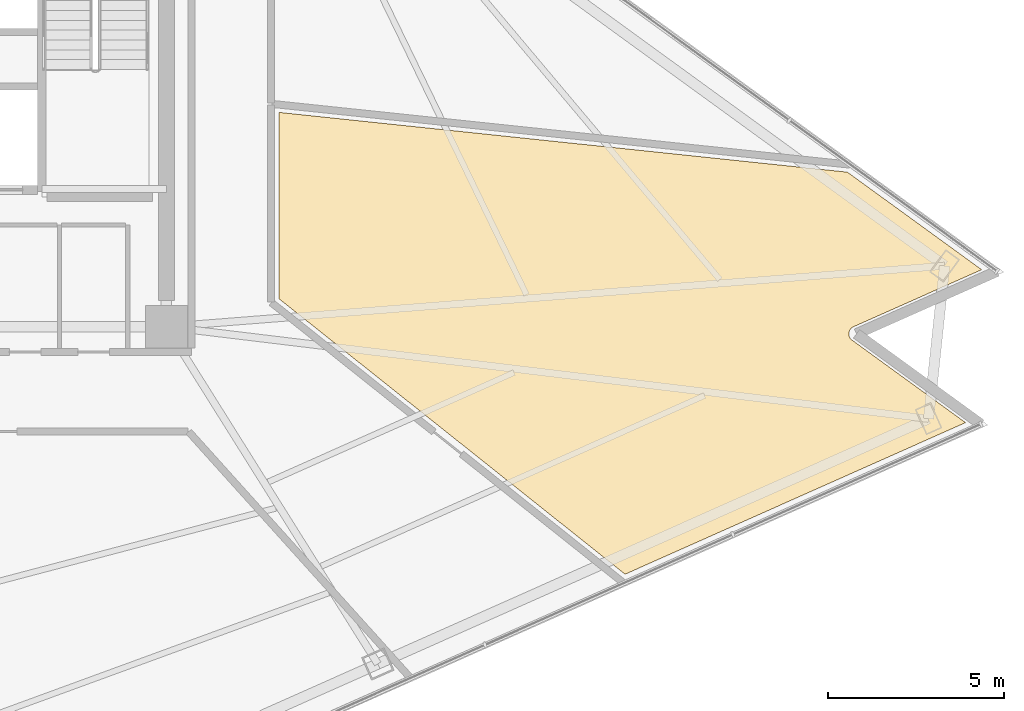
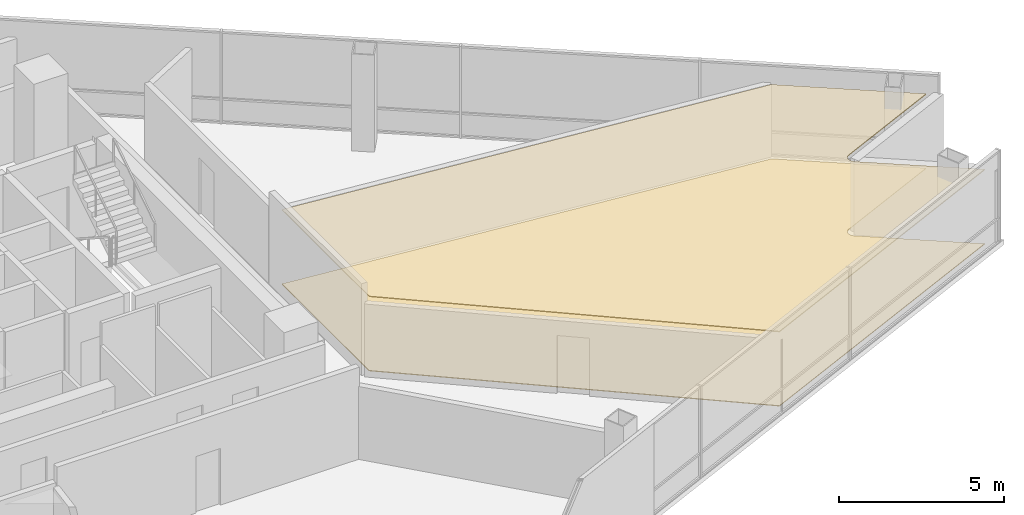
# One storey, part 16 of 19: 2 coverings.
"""IFC4 building model written with IfcOpenShell, lengths in metres."""

from ifc_helpers import new_model, si_unit, direction, frame, origin, place, context, subcontext, project, spatial, polyline, outline, extrude, material, layer, layer_set, type_object, element, save


model = new_model("IFC4")

# Units and contexts
model_context = context("Model", 3, precision=1e-05, world=origin(), true_north=direction((0.0, 1.0)))
body_context = subcontext(model_context, "Body", "Model", "MODEL_VIEW")
ifc_project = project(units=[si_unit("LENGTHUNIT", "METRE"), si_unit("AREAUNIT", "SQUARE_METRE"), si_unit("VOLUMEUNIT", "CUBIC_METRE"), si_unit("PLANEANGLEUNIT", "RADIAN"), si_unit("MASSUNIT", "GRAM", prefix="KILO")], contexts=[model_context])

# Site, building, storey
site_placement = place(None, origin())
site = spatial("IfcSite", under=ifc_project, at=site_placement, CompositionType="ELEMENT")
building_placement = place(site_placement, origin())
building = spatial("IfcBuilding", under=site, at=building_placement, Name="Tharavind Bronze Gate", CompositionType="ELEMENT")
storey_placement = place(building_placement, frame((0.0, 0.0, 116.050048828125)))
storey = spatial("IfcBuildingStorey", under=building, at=storey_placement, Name="L29", CompositionType="ELEMENT", Elevation=116.050048828125)

# Coverings
ifc_material_1 = material(Name="Engineered Oak & Carpet Tile", Category="wood")
ifc_layer_1 = layer(ifc_material_1, 0.02490234375)
ifc_layer_set_1 = layer_set([ifc_layer_1], Name="Engineered Oak & Carpet Tile")
covering_type_1 = type_object("IfcCoveringType", Name="ENGINEERED TIMBER FLOORING", PredefinedType="FLOORING", material=ifc_layer_set_1)
covering_1_placement = place(storey_placement, origin())
element("IfcCovering", 1, at=covering_1_placement, inside=storey, type_object=covering_type_1, Name="L29-RM-07 floor finish", PredefinedType="FLOORING", context=body_context, shape_type="SweptSolid", body=[
    extrude(outline(polyline([(12.10009765625, -6.79736328125), (21.9365234375, -14.62744140625), (21.94482421875, -14.634521484375), (21.9453125, -14.634765625), (21.96044921875, -14.6494140625), (31.662109375, -10.329833984375), (28.427490234375, -7.979736328125), (28.418701171875, -7.97314453125), (28.418212890625, -7.97265625), (28.402099609375, -7.9580078125), (28.38720703125, -7.94189453125), (28.3740234375, -7.92431640625), (28.362548828125, -7.90576171875), (28.353271484375, -7.8857421875), (28.345703125, -7.865234375), (28.340576171875, -7.843994140625), (28.33740234375, -7.822265625), (28.33642578125, -7.80029296875), (28.337646484375, -7.7783203125), (28.3408203125, -7.756591796875), (28.346435546875, -7.735595703125), (28.35400390625, -7.71484375), (28.36376953125, -7.6953125), (28.375244140625, -7.676513671875), (28.388427734375, -7.6591796875), (28.403564453125, -7.643310546875), (28.419921875, -7.628662109375), (28.43798828125, -7.615966796875), (28.45703125, -7.60498046875), (28.45751953125, -7.60498046875), (28.46728515625, -7.60009765625), (32.1201171875, -5.973876953125), (28.29541015625, -3.1953125), (12.10009765625, -1.492919921875), (12.10009765625, -6.79736328125)])), origin(), (0.0, 0.0, 1.0), 0.02490234375),
])
ifc_material_2 = material(Name="Acoustic Gypsum Board", Category="gypsum")
ifc_layer_2 = layer(ifc_material_2, 0.030029296875)
ifc_layer_set_2 = layer_set([ifc_layer_2], Name="Acoustic Gypsum Board")
covering_type_2 = type_object("IfcCoveringType", Name="GYPSUM SUSPENDED CEILING", PredefinedType="CEILING", material=ifc_layer_set_2)
covering_2_placement = place(storey_placement, frame((0.0, 0.0, 2.75)))
element("IfcCovering", 2, at=covering_2_placement, inside=storey, type_object=covering_type_2, Name="L29-RM-07 suspended ceiling", PredefinedType="CEILING", context=body_context, shape_type="SweptSolid", body=[
    extrude(outline(polyline([(12.10009765625, -6.79736328125), (21.9365234375, -14.62744140625), (21.94482421875, -14.634521484375), (21.9453125, -14.634765625), (21.96044921875, -14.6494140625), (31.662109375, -10.329833984375), (28.427490234375, -7.979736328125), (28.418701171875, -7.97314453125), (28.418212890625, -7.97265625), (28.402099609375, -7.9580078125), (28.38720703125, -7.94189453125), (28.3740234375, -7.92431640625), (28.362548828125, -7.90576171875), (28.353271484375, -7.8857421875), (28.345703125, -7.865234375), (28.340576171875, -7.843994140625), (28.33740234375, -7.822265625), (28.33642578125, -7.80029296875), (28.337646484375, -7.7783203125), (28.3408203125, -7.756591796875), (28.346435546875, -7.735595703125), (28.35400390625, -7.71484375), (28.36376953125, -7.6953125), (28.375244140625, -7.676513671875), (28.388427734375, -7.6591796875), (28.403564453125, -7.643310546875), (28.419921875, -7.628662109375), (28.43798828125, -7.615966796875), (28.45703125, -7.60498046875), (28.45751953125, -7.60498046875), (28.46728515625, -7.60009765625), (32.1201171875, -5.973876953125), (28.29541015625, -3.1953125), (12.10009765625, -1.492919921875), (12.10009765625, -6.79736328125)])), origin(), (0.0, 0.0, 1.0), 0.034912109375),
])

save(model, "model.ifc")
